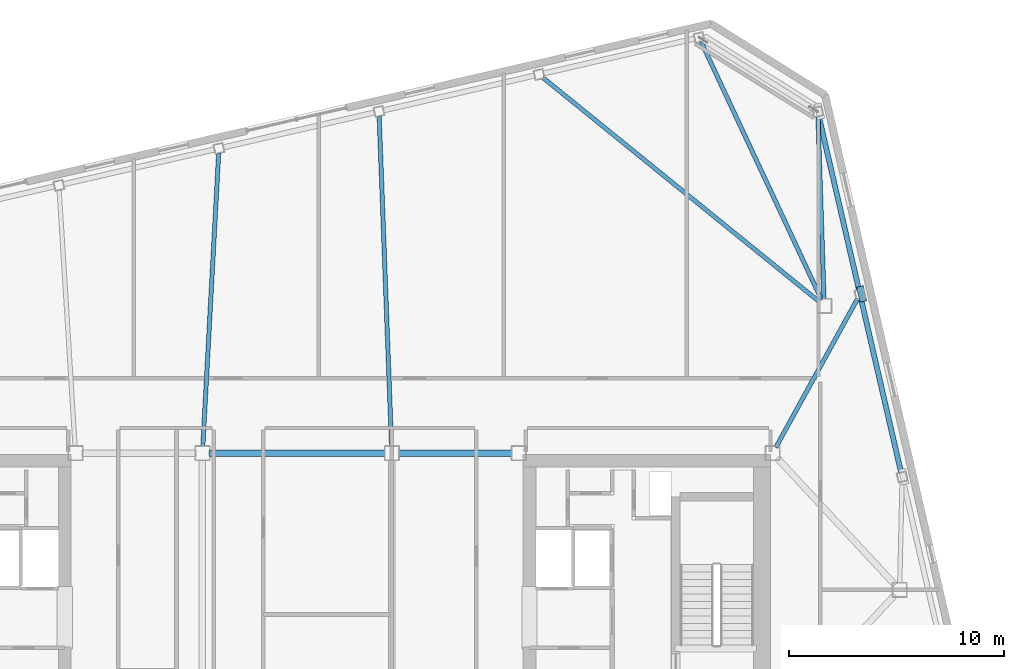
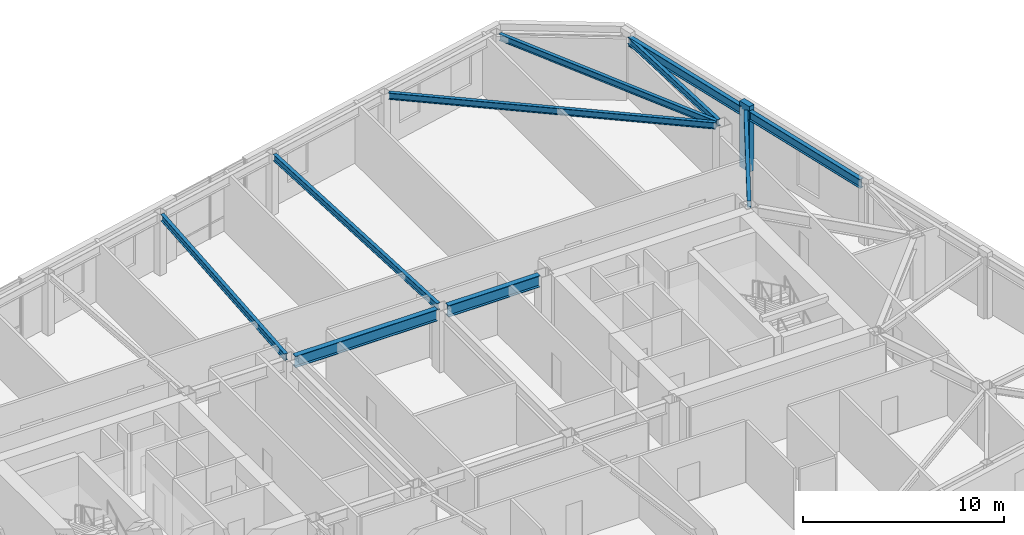
# One storey, part 13 of 24: 10 beams, 1 member.
"""IFC4 building model written with IfcOpenShell, lengths in metres."""

from ifc_helpers import new_model, si_unit, direction, frame, origin, origin_2d, place, context, subcontext, project, spatial, rectangle, i_section, extrude, material, material_profile, profile_set, type_object, element, save


model = new_model("IFC4")

# Units and contexts
model_context = context("Model", 3, precision=1e-05, world=origin(), true_north=direction((0.0, 1.0)))
body_context = subcontext(model_context, "Body", "Model", "MODEL_VIEW")
ifc_project = project(units=[si_unit("LENGTHUNIT", "METRE"), si_unit("AREAUNIT", "SQUARE_METRE"), si_unit("VOLUMEUNIT", "CUBIC_METRE"), si_unit("PLANEANGLEUNIT", "RADIAN"), si_unit("MASSUNIT", "GRAM", prefix="KILO")], contexts=[model_context])

# Site, building, storey
site_placement = place(None, origin())
site = spatial("IfcSite", under=ifc_project, at=site_placement, CompositionType="ELEMENT")
building_placement = place(site_placement, origin())
building = spatial("IfcBuilding", under=site, at=building_placement, Name="Tavrogorsk Clinical Tower", CompositionType="ELEMENT")
storey_placement = place(building_placement, frame((0.0, 0.0, 325.0)))
storey = spatial("IfcBuildingStorey", under=building, at=storey_placement, Name="L76", CompositionType="ELEMENT", Elevation=325.0)

# Beams
ifc_material_1 = material(Name="Structural steel S355", Category="steel")
ifc_material_profile_1 = material_profile(ifc_material_1, i_section(OverallWidth=0.199951171875, OverallDepth=0.39990234375, WebThickness=0.010498046875, FlangeThickness=0.01611328125, at=origin_2d()), Name="B-400x200x10.5x16")
ifc_profile_set_1 = profile_set([ifc_material_profile_1], Name="Structural steel S355")
beam_type_1 = type_object("IfcBeamType", Name="FloorBeam_B400", PredefinedType="BEAM", material=ifc_profile_set_1)
beam_1_placement = place(storey_placement, frame((24.368896484375, 13.48095703125, 3.5400390625), z_axis=(-0.422928957087, 0.906162842571, 0.0), x_axis=(-0.906162842571, -0.422928957087, 0.0)))
element("IfcBeam", 1, at=beam_1_placement, inside=storey, type_object=beam_type_1, Name="L76 Radial Floor Beam N1", PredefinedType="BEAM", context=body_context, shape_type="SweptSolid", body=[
    extrude(i_section(OverallWidth=0.199951171875, OverallDepth=0.39990234375, WebThickness=0.010498046875, FlangeThickness=0.01611328125, at=origin_2d()), origin(), (0.0, 0.0, 1.0), 13.214111328125),
])
beam_2_placement = place(storey_placement, frame((24.25927734375, 13.395263671875, 3.5400390625), z_axis=(-0.77675399059, 0.629804126774, 0.0), x_axis=(-0.629804126774, -0.77675399059, 0.0)))
element("IfcBeam", 2, at=beam_2_placement, inside=storey, type_object=beam_type_1, Name="L76 Radial Floor Beam N2", PredefinedType="BEAM", context=body_context, shape_type="SweptSolid", body=[
    extrude(i_section(OverallWidth=0.199951171875, OverallDepth=0.39990234375, WebThickness=0.010498046875, FlangeThickness=0.01611328125, at=origin_2d()), origin(), (0.0, 0.0, 1.0), 16.524169921875),
])
beam_3_placement = place(storey_placement, frame((4.388427734375, 6.65966796875, 3.5400390625), z_axis=(-0.037472270853, 0.999297667823, 0.0), x_axis=(-0.999297667823, -0.037472270853, 0.0)))
element("IfcBeam", 3, at=beam_3_placement, inside=storey, type_object=beam_type_1, Name="L76 Radial Floor Beam N3", PredefinedType="BEAM", context=body_context, shape_type="SweptSolid", body=[
    extrude(i_section(OverallWidth=0.199951171875, OverallDepth=0.39990234375, WebThickness=0.010498046875, FlangeThickness=0.01611328125, at=origin_2d()), origin(), (0.0, 0.0, 1.0), 15.349853515625),
])
beam_4_placement = place(storey_placement, frame((-4.38330078125, 6.65966796875, 3.5400390625), z_axis=(0.053993102157, 0.998541308569, 0.0), x_axis=(-0.998541308569, 0.053993102157, 0.0)))
element("IfcBeam", 4, at=beam_4_placement, inside=storey, type_object=beam_type_1, Name="L76 Radial Floor Beam N4", PredefinedType="BEAM", context=body_context, shape_type="SweptSolid", body=[
    extrude(i_section(OverallWidth=0.199951171875, OverallDepth=0.39990234375, WebThickness=0.010498046875, FlangeThickness=0.01611328125, at=origin_2d()), origin(), (0.0, 0.0, 1.0), 13.64208984375),
])
beam_5_placement = place(storey_placement, frame((22.249267578125, 6.62158203125, 3.5400390625), z_axis=(0.481705874182, 0.876332956574, 0.0), x_axis=(-0.876332956574, 0.481705874182, 0.0)))
element("IfcBeam", 5, at=beam_5_placement, inside=storey, type_object=beam_type_1, Name="L76 Radial Floor Beam E4", PredefinedType="BEAM", context=body_context, shape_type="SweptSolid", body=[
    extrude(i_section(OverallWidth=0.199951171875, OverallDepth=0.39990234375, WebThickness=0.010498046875, FlangeThickness=0.01611328125, at=origin_2d()), origin(), (0.0, 0.0, 1.0), 7.881103515625),
])
beam_6_placement = place(storey_placement, frame((24.48974609375, 13.509765625, 3.5400390625), z_axis=(-0.033421222185, 0.999441354912, 0.0), x_axis=(-0.999441354912, -0.033421222185, 0.0)))
element("IfcBeam", 6, at=beam_6_placement, inside=storey, type_object=beam_type_1, Name="L76 Radial Floor Beam E5", PredefinedType="BEAM", context=body_context, shape_type="SweptSolid", body=[
    extrude(i_section(OverallWidth=0.199951171875, OverallDepth=0.39990234375, WebThickness=0.010498046875, FlangeThickness=0.01611328125, at=origin_2d()), origin(), (0.0, 0.0, 1.0), 8.48095703125),
])

# Member
ifc_material_2 = material(Name="Precast concrete B45 with limestone cladding", Category="masonry")
ifc_material_profile_2 = material_profile(ifc_material_2, rectangle(XDim=0.320068359375, YDim=0.719970703125, at=origin_2d()), Name="LIMESTONE-FIN-320x720")
ifc_profile_set_2 = profile_set([ifc_material_profile_2], Name="Precast concrete B45 with limestone cladding")
member_type = type_object("IfcMemberType", Name="LimestonePleatFin_320x720", PredefinedType="USERDEFINED", material=ifc_profile_set_2)
member_placement = place(storey_placement, frame((26.23583984375, 13.750244140625, 0.0), z_axis=(0.0, 0.0, 1.0), x_axis=(0.974370064785, 0.224951054344, 0.0)))
element("IfcMember", 7, at=member_placement, inside=storey, type_object=member_type, Name="L76 E Pleated Stone Fin 3", ObjectType="FIN", PredefinedType="USERDEFINED", context=body_context, shape_type="SweptSolid", body=[
    extrude(rectangle(XDim=0.320068359375, YDim=0.719970703125, at=origin_2d()), origin(), (0.0, 0.0, 1.0), 4.0),
])

# Beams
ifc_material_3 = material(Name="Structural steel S390", Category="steel")
ifc_material_profile_3 = material_profile(ifc_material_3, i_section(OverallWidth=0.300048828125, OverallDepth=0.699951171875, WebThickness=0.01708984375, FlangeThickness=0.028076171875, at=origin_2d()), Name="B-700x300x17x28")
ifc_profile_set_3 = profile_set([ifc_material_profile_3], Name="Structural steel S390")
beam_type_2 = type_object("IfcBeamType", Name="PrimaryGirder_B700", PredefinedType="USERDEFINED", material=ifc_profile_set_3)
beam_7_placement = place(storey_placement, frame((-4.090087890625, 6.35009765625, 3.389892578125), z_axis=(1.0, 0.0, 0.0), x_axis=(0.0, 1.0, 0.0)))
element("IfcBeam", 8, at=beam_7_placement, inside=storey, type_object=beam_type_2, Name="L76 Primary Spine Girder MG-04", ObjectType="GIRDER", PredefinedType="USERDEFINED", context=body_context, shape_type="SweptSolid", body=[
    extrude(i_section(OverallWidth=0.300048828125, OverallDepth=0.699951171875, WebThickness=0.01708984375, FlangeThickness=0.028076171875, at=origin_2d()), origin(), (0.0, 0.0, 1.0), 8.18017578125),
])
beam_8_placement = place(storey_placement, frame((4.7099609375, 6.35009765625, 3.389892578125), z_axis=(1.0, 0.0, 0.0), x_axis=(0.0, 1.0, 0.0)))
element("IfcBeam", 9, at=beam_8_placement, inside=storey, type_object=beam_type_2, Name="L76 Primary Spine Girder MG-06", ObjectType="GIRDER", PredefinedType="USERDEFINED", context=body_context, shape_type="SweptSolid", body=[
    extrude(i_section(OverallWidth=0.300048828125, OverallDepth=0.699951171875, WebThickness=0.01708984375, FlangeThickness=0.028076171875, at=origin_2d()), origin(), (0.0, 0.0, 1.0), 5.280029296875),
])
ifc_material_4 = material(Name="Structural steel S390", Category="steel")
ifc_material_profile_4 = material_profile(ifc_material_4, i_section(OverallWidth=0.239990234375, OverallDepth=0.550048828125, WebThickness=0.013916015625, FlangeThickness=0.02197265625, at=origin_2d()), Name="B-550x240x14x22")
ifc_profile_set_4 = profile_set([ifc_material_profile_4], Name="Structural steel S390")
beam_type_3 = type_object("IfcBeamType", Name="SpandrelBeam_B550", PredefinedType="SPANDREL", material=ifc_profile_set_4)
beam_9_placement = place(storey_placement, frame((28.06494140625, 5.472412109375, 3.465087890625), z_axis=(-0.224978460613, 0.974363737144, 0.0), x_axis=(-0.974363737144, -0.224978460613, 0.0)))
element("IfcBeam", 10, at=beam_9_placement, inside=storey, type_object=beam_type_3, Name="L76 Perimeter Spandrel E3-E4", PredefinedType="SPANDREL", context=body_context, shape_type="SweptSolid", body=[
    extrude(i_section(OverallWidth=0.239990234375, OverallDepth=0.550048828125, WebThickness=0.013916015625, FlangeThickness=0.02197265625, at=origin_2d()), origin(), (0.0, 0.0, 1.0), 8.244140625),
])
beam_10_placement = place(storey_placement, frame((26.10546875, 13.959228515625, 3.465087890625), z_axis=(-0.224950345141, 0.974370228517, 0.0), x_axis=(-0.974370228517, -0.224950345141, 0.0)))
element("IfcBeam", 11, at=beam_10_placement, inside=storey, type_object=beam_type_3, Name="L76 Perimeter Spandrel E4-E5", PredefinedType="SPANDREL", context=body_context, shape_type="SweptSolid", body=[
    extrude(i_section(OverallWidth=0.239990234375, OverallDepth=0.550048828125, WebThickness=0.013916015625, FlangeThickness=0.02197265625, at=origin_2d()), origin(), (0.0, 0.0, 1.0), 8.243896484375),
])

save(model, "model.ifc")
